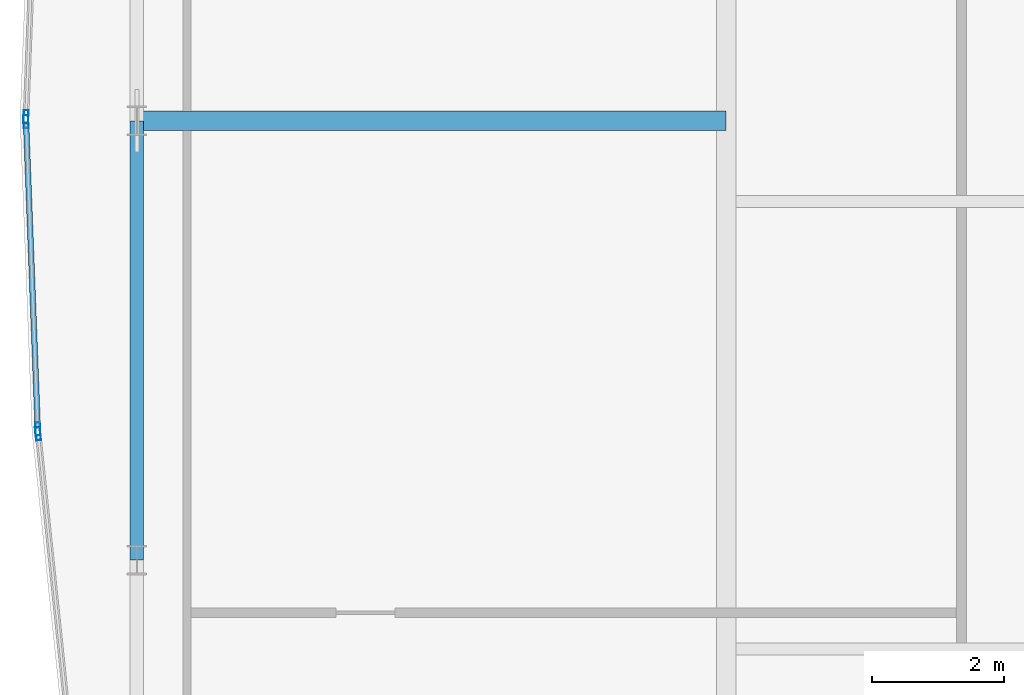
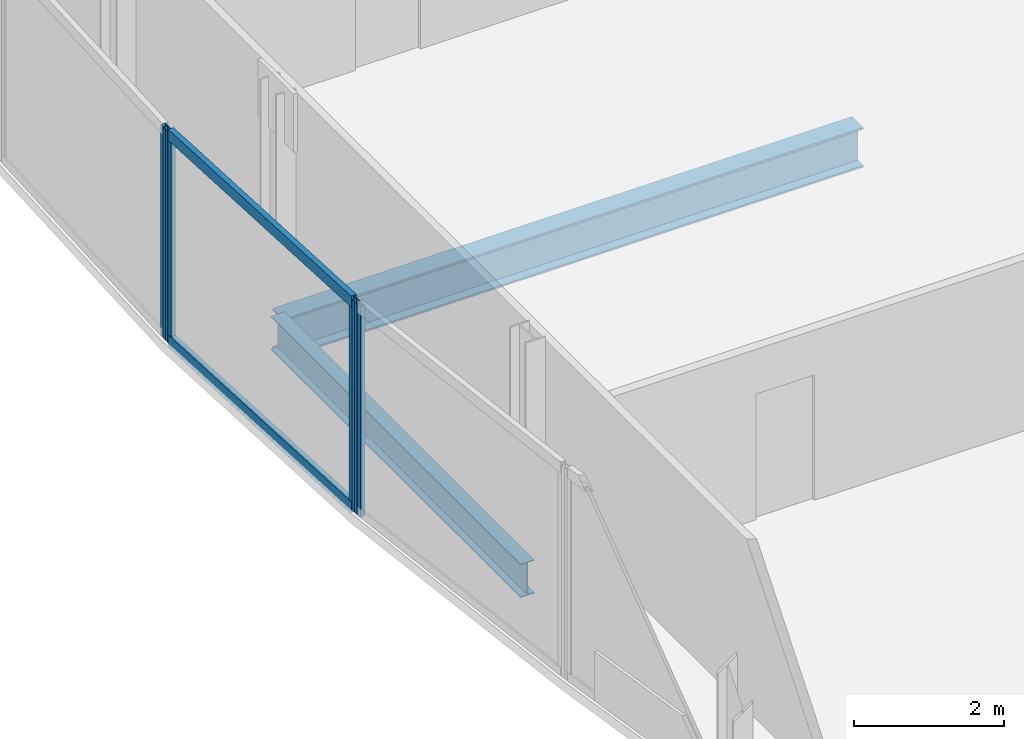
# One storey, part 10 of 30: 6 members, 2 beams, 3 elements without a shape of their own.
"""IFC4 building model written with IfcOpenShell, lengths in metres."""

from ifc_helpers import new_model, si_unit, direction, frame, origin, origin_2d, place, context, subcontext, project, spatial, hollow_rectangle, i_section, extrude, material, material_profile, profile_set, type_object, element, aggregate, save


model = new_model("IFC4")

# Units and contexts
model_context = context("Model", 3, precision=1e-05, world=origin(), true_north=direction((0.0, 1.0)))
body_context = subcontext(model_context, "Body", "Model", "MODEL_VIEW")
ifc_project = project(units=[si_unit("LENGTHUNIT", "METRE"), si_unit("AREAUNIT", "SQUARE_METRE"), si_unit("VOLUMEUNIT", "CUBIC_METRE"), si_unit("PLANEANGLEUNIT", "RADIAN"), si_unit("MASSUNIT", "GRAM", prefix="KILO")], contexts=[model_context])

# Site, building, storey
site_placement = place(None, origin())
site = spatial("IfcSite", under=ifc_project, at=site_placement, CompositionType="ELEMENT")
building_placement = place(site_placement, origin())
building = spatial("IfcBuilding", under=site, at=building_placement, Name="Khoronbel Lancet Exchange", CompositionType="ELEMENT")
storey_placement = place(building_placement, frame((0.0, 0.0, 280.60009765625)))
storey = spatial("IfcBuildingStorey", under=building, at=storey_placement, Name="L72", CompositionType="ELEMENT", Elevation=280.60009765625)

# Beams
ifc_material_1 = material(Name="Steel S355", Category="steel")
ifc_material_profile_1 = material_profile(ifc_material_1, i_section(OverallWidth=0.300048828125, OverallDepth=0.64990234375, WebThickness=0.01611328125, FlangeThickness=0.031005859375, at=origin_2d()), Name="HEB 650")
ifc_profile_set_1 = profile_set([ifc_material_profile_1], Name="Steel S355")
beam_type_1 = type_object("IfcBeamType", Name="BM-BG4", PredefinedType="BEAM", material=ifc_profile_set_1)
beam_1_placement = place(storey_placement, frame((9.27001953125, 31.425048828125, -0.485107421875), z_axis=(1.0, 0.0, 0.0), x_axis=(0.0, 1.0, 0.0)))
element("IfcBeam", 1, at=beam_1_placement, inside=storey, type_object=beam_type_1, Name="Level L72 west lens tie girder LG2W", PredefinedType="BEAM", context=body_context, shape_type="SweptSolid", body=[
    extrude(i_section(OverallWidth=0.300048828125, OverallDepth=0.64990234375, WebThickness=0.01611328125, FlangeThickness=0.031005859375, at=origin_2d()), origin(), (0.0, 0.0, 1.0), 8.955078125),
])
ifc_material_profile_2 = material_profile(ifc_material_1, i_section(OverallWidth=0.2099609375, OverallDepth=0.550048828125, WebThickness=0.010986328125, FlangeThickness=0.01708984375, at=origin_2d()), Name="IPE 550")
ifc_profile_set_2 = profile_set([ifc_material_profile_2], Name="Steel S355")
beam_type_2 = type_object("IfcBeamType", Name="BM-BSP3", PredefinedType="SPANDREL", material=ifc_profile_set_2)
beam_2_placement = place(storey_placement, frame((9.27001953125, 31.425048828125, -0.43505859375), z_axis=(0.0, -1.0, 0.0), x_axis=(1.0, 0.0, 0.0)))
element("IfcBeam", 2, at=beam_2_placement, inside=storey, type_object=beam_type_2, Name="Level L72 perimeter spandrel beam SP19", PredefinedType="SPANDREL", context=body_context, shape_type="SweptSolid", body=[
    extrude(i_section(OverallWidth=0.2099609375, OverallDepth=0.550048828125, WebThickness=0.010986328125, FlangeThickness=0.01708984375, at=origin_2d()), origin(), (0.0, 0.0, 1.0), 6.675048828125),
])

# Curtain wall, member
ifc_material_2 = material(Name="Low-E Solar Control Insulating Glass", Category="glass")
curtain_wall_type = type_object("IfcCurtainWallType", Name="CW-4", PredefinedType="NOTDEFINED", material=ifc_material_2)
curtain_wall_1_placement = place(storey_placement, origin())
curtain_wall_1 = element("IfcCurtainWall", 3, at=curtain_wall_1_placement, inside=storey, type_object=curtain_wall_type, Name="Unitised curtain wall CW-L72-E05", PredefinedType="NOTDEFINED")
ifc_material_3 = material(Name="Bronze-Anodised Aluminium 6063-T6", Category="aluminium")
ifc_material_profile_3 = material_profile(ifc_material_3, hollow_rectangle(XDim=0.074951171875, YDim=0.199951171875, WallThickness=0.0048828125, at=origin_2d()), Name="ALU MULLION 75x200")
ifc_profile_set_3 = profile_set([ifc_material_profile_3], Name="Bronze-Anodised Aluminium 6063-T6")
member_type_1 = type_object("IfcMemberType", Name="MEM-CWM2", PredefinedType="MULLION", material=ifc_profile_set_3)
member_1_placement = place(storey_placement, frame((7.769775390625, 26.669189453125, 0.0), z_axis=(0.0, 0.0, 1.0), x_axis=(-0.994590565659, -0.103873031641, 0.0)))
member_1 = element("IfcMember", 4, at=member_1_placement, type_object=member_type_1, Name="CW4 mullion 2", PredefinedType="MULLION", context=body_context, shape_type="SweptSolid", body=[
    extrude(hollow_rectangle(XDim=0.074951171875, YDim=0.199951171875, WallThickness=0.0048828125, at=origin_2d()), origin(), (0.0, 0.0, 1.0), 3.43994140625),
])
aggregate(curtain_wall_1, [member_1])

# Curtain wall, members
curtain_wall_2_placement = place(storey_placement, origin())
curtain_wall_2 = element("IfcCurtainWall", 5, at=curtain_wall_2_placement, inside=storey, type_object=curtain_wall_type, Name="Unitised curtain wall CW-L72-E06", PredefinedType="NOTDEFINED")
member_2_placement = place(storey_placement, frame((7.7646484375, 26.743896484375, 0.0), z_axis=(0.0, 0.0, 1.0), x_axis=(-0.999270418171, -0.038192032798, 0.0)))
member_2 = element("IfcMember", 6, at=member_2_placement, type_object=member_type_1, Name="CW4 mullion 1", PredefinedType="MULLION", context=body_context, shape_type="SweptSolid", body=[
    extrude(hollow_rectangle(XDim=0.074951171875, YDim=0.199951171875, WallThickness=0.0048828125, at=origin_2d()), origin(), (0.0, 0.0, 1.0), 3.43994140625),
])
member_3_placement = place(storey_placement, frame((7.586181640625, 31.41259765625, 0.0), z_axis=(0.0, 0.0, 1.0), x_axis=(-0.999270418171, -0.038192032798, 0.0)))
member_3 = element("IfcMember", 7, at=member_3_placement, type_object=member_type_1, Name="CW4 mullion 2", PredefinedType="MULLION", context=body_context, shape_type="SweptSolid", body=[
    extrude(hollow_rectangle(XDim=0.074951171875, YDim=0.199951171875, WallThickness=0.0048828125, at=origin_2d()), origin(), (0.0, 0.0, 1.0), 3.43994140625),
])

# Curtain wall, member
curtain_wall_3_placement = place(storey_placement, origin())
curtain_wall_3 = element("IfcCurtainWall", 8, at=curtain_wall_3_placement, inside=storey, type_object=curtain_wall_type, Name="Unitised curtain wall CW-L72-E07", PredefinedType="NOTDEFINED")
member_4_placement = place(storey_placement, frame((7.586181640625, 31.487548828125, 0.0), z_axis=(0.0, 0.0, 1.0), x_axis=(-0.999270418171, 0.038192032798, 0.0)))
member_4 = element("IfcMember", 9, at=member_4_placement, type_object=member_type_1, Name="CW4 mullion 1", PredefinedType="MULLION", context=body_context, shape_type="SweptSolid", body=[
    extrude(hollow_rectangle(XDim=0.074951171875, YDim=0.199951171875, WallThickness=0.0048828125, at=origin_2d()), origin(), (0.0, 0.0, 1.0), 3.43994140625),
])
aggregate(curtain_wall_3, [member_4])

# Member
ifc_material_profile_4 = material_profile(ifc_material_3, hollow_rectangle(XDim=0.0849609375, YDim=0.179931640625, WallThickness=0.0048828125, at=origin_2d()), Name="ALU TRANSOM 85x180")
ifc_profile_set_4 = profile_set([ifc_material_profile_4], Name="Bronze-Anodised Aluminium 6063-T6")
member_type_2 = type_object("IfcMemberType", Name="MEM-CWT1", PredefinedType="USERDEFINED", material=ifc_profile_set_4)
member_5_placement = place(storey_placement, frame((7.76318359375, 26.78125, 0.04248046875), z_axis=(-0.03818429227, 0.999270713983, 0.0), x_axis=(-0.999270713983, -0.03818429227, 0.0)))
member_5 = element("IfcMember", 10, at=member_5_placement, type_object=member_type_2, Name="CW4 transom 1.1", ObjectType="TRANSOM", PredefinedType="USERDEFINED", context=body_context, shape_type="SweptSolid", body=[
    extrude(hollow_rectangle(XDim=0.0849609375, YDim=0.179931640625, WallThickness=0.0048828125, at=origin_2d()), origin(), (0.0, 0.0, 1.0), 4.59716796875),
])

member_6_placement = place(storey_placement, frame((7.76318359375, 26.78125, 3.3974609375), z_axis=(-0.03818429227, 0.999270713983, 0.0), x_axis=(-0.999270713983, -0.03818429227, 0.0)))
member_6 = element("IfcMember", 11, at=member_6_placement, type_object=member_type_2, Name="CW4 transom 1.2", ObjectType="TRANSOM", PredefinedType="USERDEFINED", context=body_context, shape_type="SweptSolid", body=[
    extrude(hollow_rectangle(XDim=0.0849609375, YDim=0.179931640625, WallThickness=0.0048828125, at=origin_2d()), origin(), (0.0, 0.0, 1.0), 4.59716796875),
])

aggregate(curtain_wall_2, [member_2, member_3, member_5, member_6])

save(model, "model.ifc")
